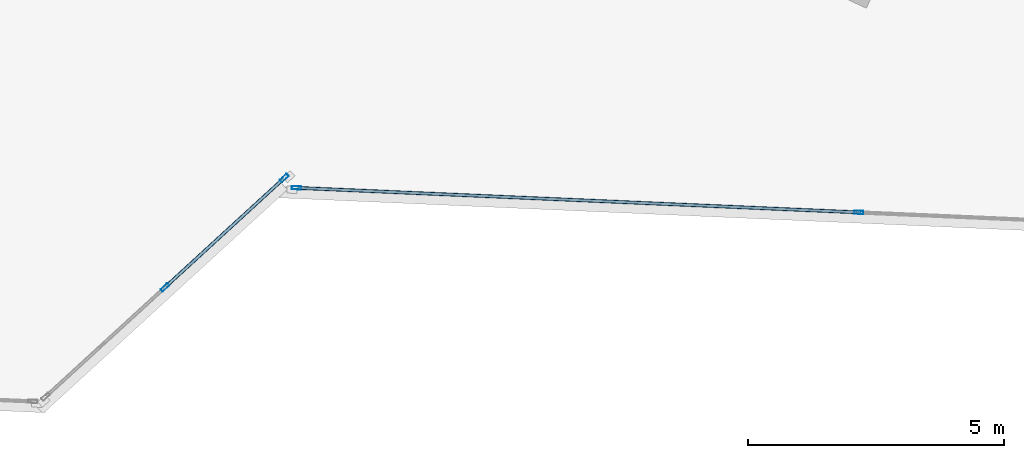
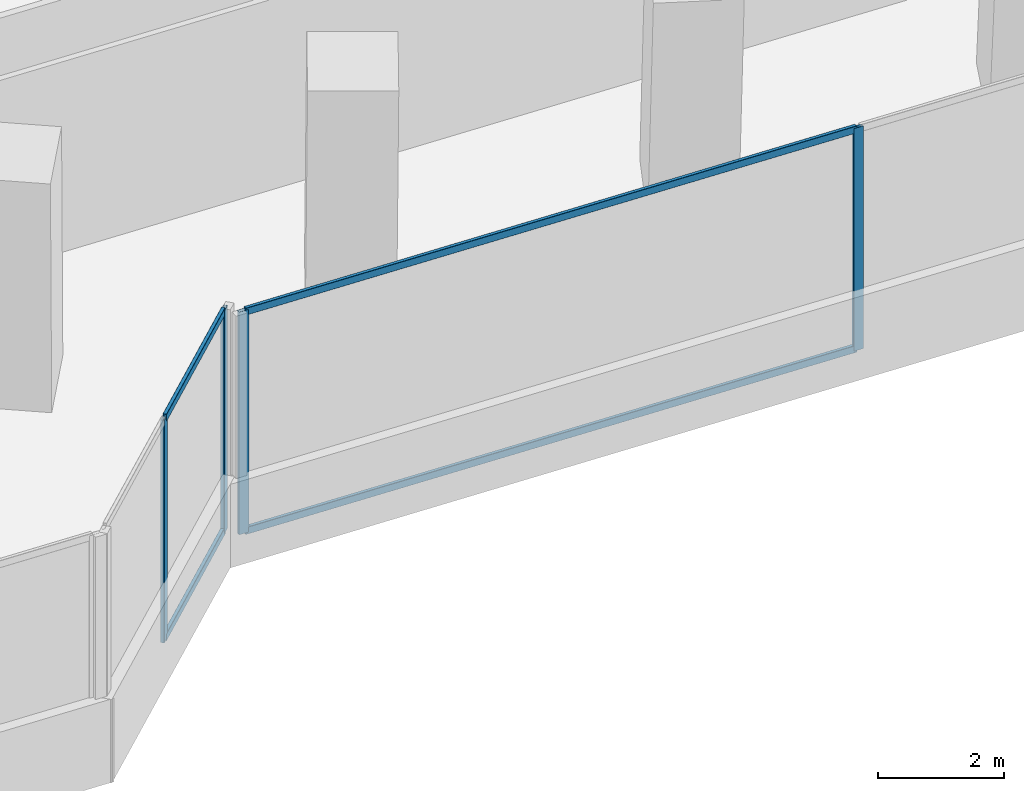
# One storey, part 9 of 26: 8 members, 2 elements without a shape of their own.
"""IFC4 building model written with IfcOpenShell, lengths in metres."""

from ifc_helpers import new_model, si_unit, direction, frame, origin, origin_2d, place, context, subcontext, project, spatial, hollow_rectangle, extrude, source, transform, mapped, material, material_profile, profile_set, type_object, element, aggregate, save


model = new_model("IFC4")

# Units and contexts
model_context = context("Model", 3, precision=1e-05, world=origin(), true_north=direction((0.0, 1.0)))
body_context = subcontext(model_context, "Body", "Model", "MODEL_VIEW")
ifc_project = project(units=[si_unit("LENGTHUNIT", "METRE"), si_unit("AREAUNIT", "SQUARE_METRE"), si_unit("VOLUMEUNIT", "CUBIC_METRE"), si_unit("PLANEANGLEUNIT", "RADIAN"), si_unit("MASSUNIT", "GRAM", prefix="KILO")], contexts=[model_context])

# Site, building, storey
site_placement = place(None, origin())
site = spatial("IfcSite", under=ifc_project, at=site_placement, CompositionType="ELEMENT")
building_placement = place(site_placement, origin())
building = spatial("IfcBuilding", under=site, at=building_placement, Name="Torre Montelarca", CompositionType="ELEMENT")
storey_placement = place(building_placement, frame((0.0, 0.0, 42.39990234375)))
storey = spatial("IfcBuildingStorey", under=building, at=storey_placement, Name="L09", CompositionType="ELEMENT", Elevation=42.39990234375)

# Curtain wall, members
ifc_material_1 = material(Name="Insulated low-E laminated glass", Category="glass")
curtain_wall_type = type_object("IfcCurtainWallType", Name="CW-SYS-Z1", PredefinedType="USERDEFINED", material=ifc_material_1)
curtain_wall_1_placement = place(storey_placement, origin())
curtain_wall_1 = element("IfcCurtainWall", 1, at=curtain_wall_1_placement, inside=storey, type_object=curtain_wall_type, Name="L09 Curtain Wall Run CW-T3-L09-E02-B1", ObjectType="UNITISED GLAZING", PredefinedType="USERDEFINED")
ifc_material_2 = material(Name="Anodised aluminium AA 6063-T6", Category="aluminium")
ifc_material_profile_1 = material_profile(ifc_material_2, hollow_rectangle(XDim=0.06494140625, YDim=0.179931640625, WallThickness=0.00390625, InnerFilletRadius=0.00390625, OuterFilletRadius=0.008056640625, at=origin_2d()), Name="ALU65X180X4", Category="aluminium")
ifc_profile_set_1 = profile_set([ifc_material_profile_1], Name="Anodised aluminium AA 6063-T6")
member_type_1 = type_object("IfcMemberType", Name="CWM-ALU180", PredefinedType="MULLION", material=ifc_profile_set_1)
shared_shape_1 = source(origin(), body_context, "Body", "SweptSolid", [
    extrude(hollow_rectangle(XDim=0.06494140625, YDim=0.179931640625, WallThickness=0.00390625, InnerFilletRadius=0.00390625, OuterFilletRadius=0.008056640625, at=origin_2d()), origin(), (0.0, 0.0, 1.0), 4.320068359375),
])
member_1_placement = place(storey_placement, frame((33.989501953125, 15.711669921875, 0.0), z_axis=(0.0, 0.0, 1.0), x_axis=(-0.675574618781, 0.737291621042, 0.0)))
member_1 = element("IfcMember", 2, at=member_1_placement, type_object=member_type_1, Name="CW mullion 2", PredefinedType="MULLION", context=body_context, shape_type="MappedRepresentation", body=[
    mapped(shared_shape_1, transform((0.0, 0.0, 0.0), scale=1.0)),
])
member_2_placement = place(storey_placement, frame((36.324951171875, 17.8515625, 0.0), z_axis=(0.0, 0.0, 1.0), x_axis=(-0.675574618781, 0.737291621042, 0.0)))
member_2 = element("IfcMember", 3, at=member_2_placement, type_object=member_type_1, Name="CW mullion 3", PredefinedType="MULLION", context=body_context, shape_type="MappedRepresentation", body=[
    mapped(shared_shape_1, transform((0.0, 0.0, 0.0), scale=1.0)),
])

curtain_wall_2_placement = place(storey_placement, origin())
curtain_wall_2 = element("IfcCurtainWall", 4, at=curtain_wall_2_placement, inside=storey, type_object=curtain_wall_type, Name="L09 Curtain Wall Run CW-T3-L09-E04-B1", ObjectType="UNITISED GLAZING", PredefinedType="USERDEFINED")
member_3_placement = place(storey_placement, frame((36.5634765625, 17.6591796875, 0.0), z_axis=(0.0, 0.0, 1.0), x_axis=(0.043617352644, 0.999048310418, 0.0)))
member_3 = element("IfcMember", 5, at=member_3_placement, type_object=member_type_1, Name="CW mullion 1", PredefinedType="MULLION", context=body_context, shape_type="MappedRepresentation", body=[
    mapped(shared_shape_1, transform((0.0, 0.0, 0.0), scale=1.0)),
])
member_4_placement = place(storey_placement, frame((47.56640625, 17.178955078125, 0.0), z_axis=(0.0, 0.0, 1.0), x_axis=(0.043617352644, 0.999048310418, 0.0)))
member_4 = element("IfcMember", 6, at=member_4_placement, type_object=member_type_1, Name="CW mullion 2", PredefinedType="MULLION", context=body_context, shape_type="MappedRepresentation", body=[
    mapped(shared_shape_1, transform((0.0, 0.0, 0.0), scale=1.0)),
])

# Member
ifc_material_profile_2 = material_profile(ifc_material_2, hollow_rectangle(XDim=0.06494140625, YDim=0.139892578125, WallThickness=0.00390625, InnerFilletRadius=0.00390625, OuterFilletRadius=0.008056640625, at=origin_2d()), Name="ALU65X140X4", Category="aluminium")
ifc_profile_set_2 = profile_set([ifc_material_profile_2], Name="Anodised aluminium AA 6063-T6")
member_type_2 = type_object("IfcMemberType", Name="CWT-ALU140", PredefinedType="USERDEFINED", material=ifc_profile_set_2)
shared_shape_2 = source(origin(), body_context, "Body", "SweptSolid", [
    extrude(hollow_rectangle(XDim=0.06494140625, YDim=0.139892578125, WallThickness=0.00390625, InnerFilletRadius=0.00390625, OuterFilletRadius=0.008056640625, at=origin_2d()), origin(), (0.0, 0.0, 1.0), 3.102294921875),
])
member_5_placement = place(storey_placement, frame((34.013671875, 15.733642578125, 0.03271484375), z_axis=(0.73728152185, 0.675585640418, 0.0), x_axis=(-0.675585640418, 0.73728152185, 0.0)))
member_5 = element("IfcMember", 7, at=member_5_placement, type_object=member_type_2, Name="CW transom 2.1", ObjectType="TRANSOM", PredefinedType="USERDEFINED", context=body_context, shape_type="MappedRepresentation", body=[
    mapped(shared_shape_2, transform((0.0, 0.0, 0.0), scale=1.0)),
])

member_6_placement = place(storey_placement, frame((34.013671875, 15.733642578125, 4.28759765625), z_axis=(0.73728152185, 0.675585640418, 0.0), x_axis=(-0.675585640418, 0.73728152185, 0.0)))
member_6 = element("IfcMember", 8, at=member_6_placement, type_object=member_type_2, Name="CW transom 2.2", ObjectType="TRANSOM", PredefinedType="USERDEFINED", context=body_context, shape_type="MappedRepresentation", body=[
    mapped(shared_shape_2, transform((0.0, 0.0, 0.0), scale=1.0)),
])

aggregate(curtain_wall_1, [member_1, member_2, member_5, member_6])

shared_shape_3 = source(origin(), body_context, "Body", "SweptSolid", [
    extrude(hollow_rectangle(XDim=0.06494140625, YDim=0.139892578125, WallThickness=0.00390625, InnerFilletRadius=0.00390625, OuterFilletRadius=0.008056640625, at=origin_2d()), origin(), (0.0, 0.0, 1.0), 10.948486328125),
])
member_7_placement = place(storey_placement, frame((36.595947265625, 17.657958984375, 0.03271484375), z_axis=(0.999048316388, -0.043617215902, 0.0), x_axis=(0.043617215902, 0.999048316388, 0.0)))
member_7 = element("IfcMember", 9, at=member_7_placement, type_object=member_type_2, Name="CW transom 1.1", ObjectType="TRANSOM", PredefinedType="USERDEFINED", context=body_context, shape_type="MappedRepresentation", body=[
    mapped(shared_shape_3, transform((0.0, 0.0, 0.0), scale=1.0)),
])

member_8_placement = place(storey_placement, frame((36.595947265625, 17.657958984375, 4.28759765625), z_axis=(0.999048316388, -0.043617215902, 0.0), x_axis=(0.043617215902, 0.999048316388, 0.0)))
member_8 = element("IfcMember", 10, at=member_8_placement, type_object=member_type_2, Name="CW transom 1.2", ObjectType="TRANSOM", PredefinedType="USERDEFINED", context=body_context, shape_type="MappedRepresentation", body=[
    mapped(shared_shape_3, transform((0.0, 0.0, 0.0), scale=1.0)),
])

aggregate(curtain_wall_2, [member_3, member_4, member_7, member_8])

save(model, "model.ifc")
